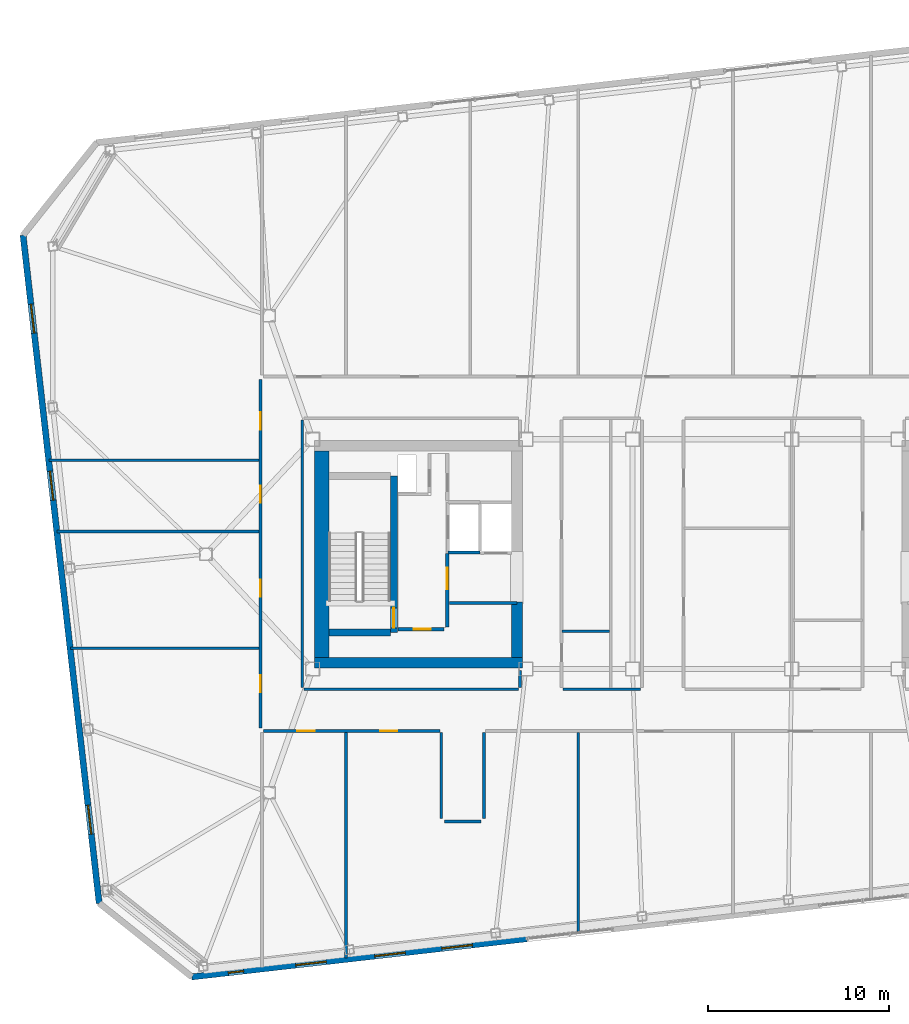
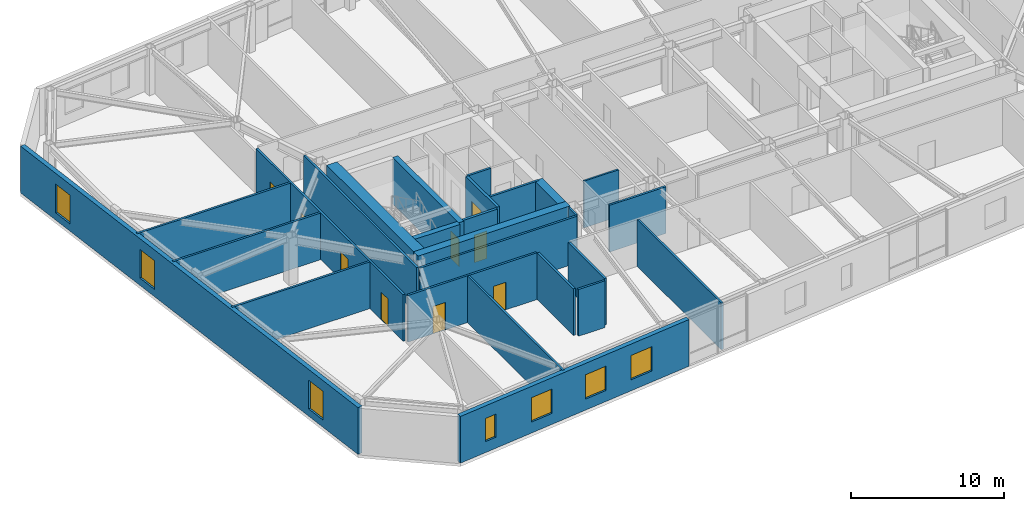
# One storey, part 12 of 19: 26 walls, 9 doors, 7 windows, 16 openings.
"""IFC4 building model written with IfcOpenShell, lengths in metres."""

from ifc_helpers import new_model, si_unit, direction, frame, frame_2d, origin, place, context, subcontext, project, spatial, rectangle, extrude, material, layer, layer_set, type_object, element, fill, save


model = new_model("IFC4")

# Units and contexts
model_context = context("Model", 3, precision=1e-05, world=origin(), true_north=direction((0.0, 1.0)))
body_context = subcontext(model_context, "Body", "Model", "MODEL_VIEW")
ifc_project = project(units=[si_unit("LENGTHUNIT", "METRE"), si_unit("AREAUNIT", "SQUARE_METRE"), si_unit("VOLUMEUNIT", "CUBIC_METRE"), si_unit("PLANEANGLEUNIT", "RADIAN"), si_unit("MASSUNIT", "GRAM", prefix="KILO")], contexts=[model_context])

# Site, building, storey
site_placement = place(None, origin())
site = spatial("IfcSite", under=ifc_project, at=site_placement, CompositionType="ELEMENT")
building_placement = place(site_placement, origin())
building = spatial("IfcBuilding", under=site, at=building_placement, Name="Tavrogorsk Clinical Tower", CompositionType="ELEMENT")
storey_placement = place(building_placement, frame((0.0, 0.0, 263.0)))
storey = spatial("IfcBuildingStorey", under=building, at=storey_placement, Name="L61", CompositionType="ELEMENT", Elevation=263.0)

# Wall, opening, door
ifc_material_1 = material(Name="Concrete B60", Category="concrete")
ifc_layer_1 = layer(ifc_material_1, 0.199951171875)
ifc_layer_set_1 = layer_set([ifc_layer_1], Name="Concrete B60")
wall_type_1 = type_object("IfcWallType", Name="CoreFireWall_200", PredefinedType="SOLIDWALL", material=ifc_layer_set_1)
wall_1_placement = place(storey_placement, frame((-17.3798828125, -4.139892578125, 0.0), z_axis=(0.0, 0.0, 1.0), x_axis=(1.0, 0.0, 0.0)))
wall_1 = element("IfcWall", 1, at=wall_1_placement, inside=storey, type_object=wall_type_1, Name="L61 Core West South Core Room Fire Wall", PredefinedType="SOLIDWALL", context=body_context, shape_type="SweptSolid", body=[
    extrude(rectangle(XDim=2.554931640625, YDim=0.199951171875, at=frame_2d((1.27734375, 0.0))), origin(), (0.0, 0.0, 1.0), 3.739990234375),
])
opening_1_placement = place(wall_1_placement, frame((0.8798828125, 0.0, 0.0)))
opening_1 = element("IfcOpeningElement", 2, at=opening_1_placement, cuts=wall_1, Name="Opening ID-02", PredefinedType="OPENING", context=body_context, shape_type="SweptSolid", body=[
    extrude(rectangle(XDim=0.949951171875, YDim=2.199951171875, at=frame_2d((0.47509765625, 1.10009765625))), frame((0.0, 0.10986328125, 0.0), z_axis=(0.0, -1.0, 0.0), x_axis=(1.0, 0.0, 0.0)), (0.0, 0.0, 1.0), 0.219970703125),
])
ifc_material_2 = material(Name="Laminated timber leaf on aluminium frame", Category="wood")
door_type_1 = type_object("IfcDoorType", Name="InteriorDoor_ID02_950", OperationType="NOTDEFINED", PredefinedType="DOOR", material=ifc_material_2)
door_1_placement = place(opening_1_placement, origin())
door_1 = element("IfcDoor", 3, at=door_1_placement, inside=storey, type_object=door_type_1, Name="L61 Core West South Core Room Door", OperationType="SINGLE_SWING_RIGHT", OverallHeight=2.199951171875, OverallWidth=0.949951171875, PredefinedType="DOOR", context=body_context, shape_type="SweptSolid", body=[
    extrude(rectangle(XDim=0.949951171875, YDim=2.199951171875, at=frame_2d((0.47509765625, 1.10009765625))), frame((0.0, 0.02490234375, 0.0), z_axis=(0.0, -1.0, 0.0), x_axis=(1.0, 0.0, 0.0)), (0.0, 0.0, 1.0), 0.050048828125),
])
fill(opening_1, door_1)

wall_2_placement = place(storey_placement, frame((-14.639892578125, -4.034912109375, 0.0), z_axis=(0.0, 0.0, 1.0), x_axis=(0.0, 1.0, 0.0)))
wall_2 = element("IfcWall", 4, at=wall_2_placement, inside=storey, type_object=wall_type_1, Name="L61 Core West Firefighting Lobby Fire Wall", PredefinedType="SOLIDWALL", context=body_context, shape_type="SweptSolid", body=[
    extrude(rectangle(XDim=4.074951171875, YDim=0.199951171875, at=frame_2d((2.03759765625, 0.0))), origin(), (0.0, 0.0, 1.0), 3.739990234375),
])
opening_2_placement = place(wall_2_placement, frame((2.090087890625, 0.0, 0.0)))
opening_2 = element("IfcOpeningElement", 5, at=opening_2_placement, cuts=wall_2, Name="Opening FD-01", PredefinedType="OPENING", context=body_context, shape_type="SweptSolid", body=[
    extrude(rectangle(XDim=1.199951171875, YDim=2.199951171875, at=frame_2d((0.60009765625, 1.10009765625))), frame((0.0, 0.10986328125, 0.0), z_axis=(0.0, -1.0, 0.0), x_axis=(1.0, 0.0, 0.0)), (0.0, 0.0, 1.0), 0.219970703125),
])
ifc_material_3 = material(Name="Galvanised steel fire-rated door assembly", Category="steel")
door_type_2 = type_object("IfcDoorType", Name="FireDoor_FD01_1200", OperationType="NOTDEFINED", PredefinedType="DOOR", material=ifc_material_3)
door_2_placement = place(opening_2_placement, origin())
door_2 = element("IfcDoor", 6, at=door_2_placement, inside=storey, type_object=door_type_2, Name="L61 Core West Firefighting Lobby Entry Door", OperationType="SINGLE_SWING_RIGHT", OverallHeight=2.199951171875, OverallWidth=1.199951171875, PredefinedType="DOOR", context=body_context, shape_type="SweptSolid", body=[
    extrude(rectangle(XDim=1.199951171875, YDim=2.199951171875, at=frame_2d((0.60009765625, 1.10009765625))), frame((0.0, 0.02490234375, 0.0), z_axis=(0.0, -1.0, 0.0), x_axis=(1.0, 0.0, 0.0)), (0.0, 0.0, 1.0), 0.050048828125),
])
fill(opening_2, door_2)

# Walls
ifc_material_4 = material(Name="Lightweight concrete blockwork B15", Category="masonry")
ifc_layer_2 = layer(ifc_material_4, 0.139892578125)
ifc_layer_set_2 = layer_set([ifc_layer_2], Name="Lightweight concrete blockwork B15")
wall_type_2 = type_object("IfcWallType", Name="PartitionWall_140", PredefinedType="PARTITIONING", material=ifc_layer_set_2)
wall_3_placement = place(storey_placement, frame((-8.31494140625, -4.25, 0.0), z_axis=(0.0, 0.0, 1.0), x_axis=(1.0, 0.0, 0.0)))
element("IfcWall", 7, at=wall_3_placement, inside=storey, type_object=wall_type_2, Name="L61 Central Spine Partition 4", PredefinedType="PARTITIONING", context=body_context, shape_type="SweptSolid", body=[
    extrude(rectangle(XDim=2.639892578125, YDim=0.139892578125, at=frame_2d((1.31982421875, 0.0))), origin(), (0.0, 0.0, 1.0), 3.739990234375),
])
ifc_material_5 = material(Name="Lightweight concrete blockwork B15", Category="masonry")
ifc_layer_3 = layer(ifc_material_5, 0.159912109375)
ifc_layer_set_3 = layer_set([ifc_layer_3], Name="Lightweight concrete blockwork B15")
wall_type_3 = type_object("IfcWallType", Name="PartitionWall_160", PredefinedType="PARTITIONING", material=ifc_layer_set_3)
wall_4_placement = place(storey_placement, frame((-14.534912109375, -2.699951171875, 0.0), z_axis=(0.0, 0.0, 1.0), x_axis=(1.0, 0.0, 0.0)))
element("IfcWall", 8, at=wall_4_placement, inside=storey, type_object=wall_type_3, Name="L61 Core West Freed Mid-Bank North Partition", PredefinedType="PARTITIONING", context=body_context, shape_type="SweptSolid", body=[
    extrude(rectangle(XDim=3.73486328125, YDim=0.159912109375, at=frame_2d((1.867431640625, 0.0))), origin(), (0.0, 0.0, 1.0), 3.739990234375),
])

# Wall, openings, doors
wall_5_placement = place(storey_placement, frame((-24.97998046875, -9.614990234375, 0.0), z_axis=(0.0, 0.0, 1.0), x_axis=(0.0, 1.0, 0.0)))
wall_5 = element("IfcWall", 9, at=wall_5_placement, inside=storey, type_object=wall_type_3, Name="L61 Corridor Partition 01", PredefinedType="PARTITIONING", context=body_context, shape_type="SweptSolid", body=[
    extrude(rectangle(XDim=19.280029296875, YDim=0.159912109375, at=frame_2d((9.64013671875, 0.0))), origin(), (0.0, 0.0, 1.0), 3.739990234375),
])
opening_3_placement = place(wall_5_placement, frame((1.968994140625, 0.0, 0.0)))
opening_3 = element("IfcOpeningElement", 10, at=opening_3_placement, cuts=wall_5, Name="Opening ID-02", PredefinedType="OPENING", context=body_context, shape_type="SweptSolid", body=[
    extrude(rectangle(XDim=0.949951171875, YDim=2.199951171875, at=frame_2d((0.47509765625, 1.10009765625))), frame((0.0, 0.08984375, 0.0), z_axis=(0.0, -1.0, 0.0), x_axis=(1.0, 0.0, 0.0)), (0.0, 0.0, 1.0), 0.179931640625),
])
opening_4_placement = place(wall_5_placement, frame((7.25, 0.0, 0.0)))
opening_4 = element("IfcOpeningElement", 11, at=opening_4_placement, cuts=wall_5, Name="Opening ID-02", PredefinedType="OPENING", context=body_context, shape_type="SweptSolid", body=[
    extrude(rectangle(XDim=0.949951171875, YDim=2.199951171875, at=frame_2d((0.47509765625, 1.10009765625))), frame((0.0, 0.08984375, 0.0), z_axis=(0.0, -1.0, 0.0), x_axis=(1.0, 0.0, 0.0)), (0.0, 0.0, 1.0), 0.179931640625),
])
opening_5_placement = place(wall_5_placement, frame((12.449951171875, 0.0, 0.0)))
opening_5 = element("IfcOpeningElement", 12, at=opening_5_placement, cuts=wall_5, Name="Opening ID-02", PredefinedType="OPENING", context=body_context, shape_type="SweptSolid", body=[
    extrude(rectangle(XDim=0.949951171875, YDim=2.199951171875, at=frame_2d((0.47509765625, 1.10009765625))), frame((0.0, 0.08984375, 0.0), z_axis=(0.0, -1.0, 0.0), x_axis=(1.0, 0.0, 0.0)), (0.0, 0.0, 1.0), 0.179931640625),
])
opening_6_placement = place(wall_5_placement, frame((16.505859375, 0.0, 0.0)))
opening_6 = element("IfcOpeningElement", 13, at=opening_6_placement, cuts=wall_5, Name="Opening ID-02", PredefinedType="OPENING", context=body_context, shape_type="SweptSolid", body=[
    extrude(rectangle(XDim=0.949951171875, YDim=2.199951171875, at=frame_2d((0.47509765625, 1.10009765625))), frame((0.0, 0.08984375, 0.0), z_axis=(0.0, -1.0, 0.0), x_axis=(1.0, 0.0, 0.0)), (0.0, 0.0, 1.0), 0.179931640625),
])
door_3_placement = place(opening_3_placement, origin())
door_3 = element("IfcDoor", 14, at=door_3_placement, inside=storey, type_object=door_type_1, Name="L61 W Solarium Day Room & Lounge 1 Door", OperationType="SINGLE_SWING_LEFT", OverallHeight=2.199951171875, OverallWidth=0.949951171875, PredefinedType="DOOR", context=body_context, shape_type="SweptSolid", body=[
    extrude(rectangle(XDim=0.949951171875, YDim=2.199951171875, at=frame_2d((0.47509765625, 1.10009765625))), frame((0.0, 0.02490234375, 0.0), z_axis=(0.0, -1.0, 0.0), x_axis=(1.0, 0.0, 0.0)), (0.0, 0.0, 1.0), 0.050048828125),
])
fill(opening_3, door_3)
door_4_placement = place(opening_4_placement, origin())
door_4 = element("IfcDoor", 15, at=door_4_placement, inside=storey, type_object=door_type_1, Name="L61 W Rehabilitation Therapy Suite 2 Door", OperationType="SINGLE_SWING_RIGHT", OverallHeight=2.199951171875, OverallWidth=0.949951171875, PredefinedType="DOOR", context=body_context, shape_type="SweptSolid", body=[
    extrude(rectangle(XDim=0.949951171875, YDim=2.199951171875, at=frame_2d((0.47509765625, 1.10009765625))), frame((0.0, 0.02490234375, 0.0), z_axis=(0.0, -1.0, 0.0), x_axis=(1.0, 0.0, 0.0)), (0.0, 0.0, 1.0), 0.050048828125),
])
fill(opening_4, door_4)
door_5_placement = place(opening_5_placement, origin())
door_5 = element("IfcDoor", 16, at=door_5_placement, inside=storey, type_object=door_type_1, Name="L61 W Sub-Acute Observation Suite 3 Door", OperationType="SINGLE_SWING_LEFT", OverallHeight=2.199951171875, OverallWidth=0.949951171875, PredefinedType="DOOR", context=body_context, shape_type="SweptSolid", body=[
    extrude(rectangle(XDim=0.949951171875, YDim=2.199951171875, at=frame_2d((0.47509765625, 1.10009765625))), frame((0.0, 0.02490234375, 0.0), z_axis=(0.0, -1.0, 0.0), x_axis=(1.0, 0.0, 0.0)), (0.0, 0.0, 1.0), 0.050048828125),
])
fill(opening_5, door_5)
door_6_placement = place(opening_6_placement, origin())
door_6 = element("IfcDoor", 17, at=door_6_placement, inside=storey, type_object=door_type_1, Name="L61 W Family Consultation Lounge 4 Door", OperationType="SINGLE_SWING_RIGHT", OverallHeight=2.199951171875, OverallWidth=0.949951171875, PredefinedType="DOOR", context=body_context, shape_type="SweptSolid", body=[
    extrude(rectangle(XDim=0.949951171875, YDim=2.199951171875, at=frame_2d((0.47509765625, 1.10009765625))), frame((0.0, 0.02490234375, 0.0), z_axis=(0.0, -1.0, 0.0), x_axis=(1.0, 0.0, 0.0)), (0.0, 0.0, 1.0), 0.050048828125),
])
fill(opening_6, door_6)

# Walls
wall_6_placement = place(storey_placement, frame((-12.6201171875, -9.864990234375, 0.0), z_axis=(0.0, 0.0, 1.0), x_axis=(0.0, -1.0, 0.0)))
element("IfcWall", 18, at=wall_6_placement, inside=storey, type_object=wall_type_3, Name="L61 Corridor Partition 05", PredefinedType="PARTITIONING", context=body_context, shape_type="SweptSolid", body=[
    extrude(rectangle(XDim=4.75, YDim=0.159912109375, at=frame_2d((2.375, 0.0))), origin(), (0.0, 0.0, 1.0), 3.739990234375),
])
wall_7_placement = place(storey_placement, frame((-12.784912109375, -14.780029296875, 0.0), z_axis=(0.0, 0.0, 1.0), x_axis=(-1.0, 0.0, 0.0)))
element("IfcWall", 19, at=wall_7_placement, inside=storey, type_object=wall_type_3, Name="L61 Corridor Partition 06", PredefinedType="PARTITIONING", context=body_context, shape_type="SweptSolid", body=[
    extrude(rectangle(XDim=2.030029296875, YDim=0.159912109375, at=frame_2d((1.01513671875, 0.0))), origin(), (0.0, 0.0, 1.0), 3.739990234375),
])
wall_8_placement = place(storey_placement, frame((-14.97998046875, -14.614990234375, 0.0), z_axis=(0.0, 0.0, 1.0), x_axis=(0.0, 1.0, 0.0)))
element("IfcWall", 20, at=wall_8_placement, inside=storey, type_object=wall_type_3, Name="L61 Corridor Partition 07", PredefinedType="PARTITIONING", context=body_context, shape_type="SweptSolid", body=[
    extrude(rectangle(XDim=4.75, YDim=0.159912109375, at=frame_2d((2.375, 0.0))), origin(), (0.0, 0.0, 1.0), 3.739990234375),
])

# Wall, openings, doors
wall_9_placement = place(storey_placement, frame((-15.06494140625, -9.780029296875, 0.0), z_axis=(0.0, 0.0, 1.0), x_axis=(-1.0, 0.0, 0.0)))
wall_9 = element("IfcWall", 21, at=wall_9_placement, inside=storey, type_object=wall_type_3, Name="L61 Corridor Partition 08", PredefinedType="PARTITIONING", context=body_context, shape_type="SweptSolid", body=[
    extrude(rectangle(XDim=9.75, YDim=0.159912109375, at=frame_2d((4.875, 0.0))), origin(), (0.0, 0.0, 1.0), 3.739990234375),
])
opening_7_placement = place(wall_9_placement, frame((6.92578125, 0.0, 0.0)))
opening_7 = element("IfcOpeningElement", 22, at=opening_7_placement, cuts=wall_9, Name="Opening ID-02", PredefinedType="OPENING", context=body_context, shape_type="SweptSolid", body=[
    extrude(rectangle(XDim=0.949951171875, YDim=2.199951171875, at=frame_2d((0.47509765625, 1.10009765625))), frame((0.0, 0.08984375, 0.0), z_axis=(0.0, -1.0, 0.0), x_axis=(1.0, 0.0, 0.0)), (0.0, 0.0, 1.0), 0.179931640625),
])
opening_8_placement = place(wall_9_placement, frame((2.35400390625, 0.0, 0.0)))
opening_8 = element("IfcOpeningElement", 23, at=opening_8_placement, cuts=wall_9, Name="Opening ID-02", PredefinedType="OPENING", context=body_context, shape_type="SweptSolid", body=[
    extrude(rectangle(XDim=0.949951171875, YDim=2.199951171875, at=frame_2d((0.47509765625, 1.10009765625))), frame((0.0, 0.08984375, 0.0), z_axis=(0.0, -1.0, 0.0), x_axis=(1.0, 0.0, 0.0)), (0.0, 0.0, 1.0), 0.179931640625),
])
door_7_placement = place(opening_7_placement, origin())
door_7 = element("IfcDoor", 24, at=door_7_placement, inside=storey, type_object=door_type_1, Name="L61 South Outpatient Procedure Suite 01 Door", OperationType="SINGLE_SWING_LEFT", OverallHeight=2.199951171875, OverallWidth=0.949951171875, PredefinedType="DOOR", context=body_context, shape_type="SweptSolid", body=[
    extrude(rectangle(XDim=0.949951171875, YDim=2.199951171875, at=frame_2d((0.47509765625, 1.10009765625))), frame((0.0, 0.02490234375, 0.0), z_axis=(0.0, -1.0, 0.0), x_axis=(1.0, 0.0, 0.0)), (0.0, 0.0, 1.0), 0.050048828125),
])
fill(opening_7, door_7)
door_8_placement = place(opening_8_placement, origin())
door_8 = element("IfcDoor", 25, at=door_8_placement, inside=storey, type_object=door_type_1, Name="L61 South Cardiology Diagnostics Room 02 Door", OperationType="SINGLE_SWING_RIGHT", OverallHeight=2.199951171875, OverallWidth=0.949951171875, PredefinedType="DOOR", context=body_context, shape_type="SweptSolid", body=[
    extrude(rectangle(XDim=0.949951171875, YDim=2.199951171875, at=frame_2d((0.47509765625, 1.10009765625))), frame((0.0, 0.02490234375, 0.0), z_axis=(0.0, -1.0, 0.0), x_axis=(1.0, 0.0, 0.0)), (0.0, 0.0, 1.0), 0.050048828125),
])
fill(opening_8, door_8)

# Walls
wall_10_placement = place(storey_placement, frame((-8.235107421875, -7.469970703125, 0.0), z_axis=(0.0, 0.0, 1.0), x_axis=(1.0, 0.0, 0.0)))
element("IfcWall", 26, at=wall_10_placement, inside=storey, type_object=wall_type_3, Name="L61 Corridor Partition 21", PredefinedType="PARTITIONING", context=body_context, shape_type="SweptSolid", body=[
    extrude(rectangle(XDim=4.27001953125, YDim=0.159912109375, at=frame_2d((2.135009765625, 0.0))), origin(), (0.0, 0.0, 1.0), 3.739990234375),
])
wall_11_placement = place(storey_placement, frame((-10.6298828125, -7.385009765625, 0.0), z_axis=(0.0, 0.0, 1.0), x_axis=(0.0, 1.0, 0.0)))
element("IfcWall", 27, at=wall_11_placement, inside=storey, type_object=wall_type_3, Name="L61 Corridor Partition 22", PredefinedType="PARTITIONING", context=body_context, shape_type="SweptSolid", body=[
    extrude(rectangle(XDim=0.965087890625, YDim=0.159912109375, at=frame_2d((0.482421875, 0.0))), origin(), (0.0, 0.0, 1.0), 3.739990234375),
])
wall_12_placement = place(storey_placement, frame((-22.669921875, 7.43505859375, 0.0), z_axis=(0.0, 0.0, 1.0), x_axis=(0.0, -1.0, 0.0)))
element("IfcWall", 28, at=wall_12_placement, inside=storey, type_object=wall_type_3, Name="L61 Corridor Partition 25", PredefinedType="PARTITIONING", context=body_context, shape_type="SweptSolid", body=[
    extrude(rectangle(XDim=14.820068359375, YDim=0.159912109375, at=frame_2d((7.41015625, 0.0))), origin(), (0.0, 0.0, 1.0), 3.739990234375),
])
wall_13_placement = place(storey_placement, frame((-22.5849609375, -7.469970703125, 0.0), z_axis=(0.0, 0.0, 1.0), x_axis=(1.0, 0.0, 0.0)))
element("IfcWall", 29, at=wall_13_placement, inside=storey, type_object=wall_type_3, Name="L61 Corridor Partition 26", PredefinedType="PARTITIONING", context=body_context, shape_type="SweptSolid", body=[
    extrude(rectangle(XDim=11.869873046875, YDim=0.159912109375, at=frame_2d((5.93505859375, 0.0))), origin(), (0.0, 0.0, 1.0), 3.739990234375),
])
wall_14_placement = place(storey_placement, frame((-20.25, -22.343505859375, 0.0), z_axis=(0.0, 0.0, 1.0), x_axis=(0.0, 1.0, 0.0)))
element("IfcWall", 30, at=wall_14_placement, inside=storey, type_object=wall_type_3, Name="L61 South Room Partition 1", PredefinedType="PARTITIONING", context=body_context, shape_type="SweptSolid", body=[
    extrude(rectangle(XDim=12.478515625, YDim=0.159912109375, at=frame_2d((6.2392578125, 0.0))), origin(), (0.0, 0.0, 1.0), 3.739990234375),
])
wall_15_placement = place(storey_placement, frame((-7.39990234375, -20.87939453125, 0.0), z_axis=(0.0, 0.0, 1.0), x_axis=(0.0, 1.0, 0.0)))
element("IfcWall", 31, at=wall_15_placement, inside=storey, type_object=wall_type_3, Name="L61 South Room Partition 2", PredefinedType="PARTITIONING", context=body_context, shape_type="SweptSolid", body=[
    extrude(rectangle(XDim=11.014404296875, YDim=0.159912109375, at=frame_2d((5.50732421875, 0.0))), origin(), (0.0, 0.0, 1.0), 3.739990234375),
])
wall_16_placement = place(storey_placement, frame((-35.494384765625, -5.199951171875, 0.0), z_axis=(0.0, 0.0, 1.0), x_axis=(1.0, 0.0, 0.0)))
element("IfcWall", 32, at=wall_16_placement, inside=storey, type_object=wall_type_3, Name="L61 W Wing Divider 1", PredefinedType="PARTITIONING", context=body_context, shape_type="SweptSolid", body=[
    extrude(rectangle(XDim=10.429443359375, YDim=0.159912109375, at=frame_2d((5.21484375, 0.0))), origin(), (0.0, 0.0, 1.0), 3.739990234375),
])
wall_17_placement = place(storey_placement, frame((-36.2294921875, 1.25, 0.0), z_axis=(0.0, 0.0, 1.0), x_axis=(1.0, 0.0, 0.0)))
element("IfcWall", 33, at=wall_17_placement, inside=storey, type_object=wall_type_3, Name="L61 W Wing Divider 2", PredefinedType="PARTITIONING", context=body_context, shape_type="SweptSolid", body=[
    extrude(rectangle(XDim=11.16455078125, YDim=0.159912109375, at=frame_2d((5.582275390625, 0.0))), origin(), (0.0, 0.0, 1.0), 3.739990234375),
])
wall_18_placement = place(storey_placement, frame((-36.679443359375, 5.199951171875, 0.0), z_axis=(0.0, 0.0, 1.0), x_axis=(1.0, 0.0, 0.0)))
element("IfcWall", 34, at=wall_18_placement, inside=storey, type_object=wall_type_3, Name="L61 W Wing Divider 3", PredefinedType="PARTITIONING", context=body_context, shape_type="SweptSolid", body=[
    extrude(rectangle(XDim=11.614501953125, YDim=0.159912109375, at=frame_2d((5.80712890625, 0.0))), origin(), (0.0, 0.0, 1.0), 3.739990234375),
])

# Wall, openings, windows
ifc_material_6 = material(Name="Precast concrete B45 with limestone cladding", Category="masonry")
ifc_layer_4 = layer(ifc_material_6, 0.340087890625)
ifc_layer_set_4 = layer_set([ifc_layer_4], Name="Precast concrete B45 with limestone cladding")
wall_type_4 = type_object("IfcWallType", Name="PrecastLimestoneWall_340", PredefinedType="STANDARD", material=ifc_layer_set_4)
wall_19_placement = place(storey_placement, frame((-28.78271484375, -23.38623046875, 0.0), z_axis=(0.0, 0.0, 1.0), x_axis=(0.993572271362, 0.113199565282, 0.0)))
wall_19 = element("IfcWall", 35, at=wall_19_placement, inside=storey, type_object=wall_type_4, Name="L61 S Limestone Facade Wall 1", PredefinedType="STANDARD", context=body_context, shape_type="SweptSolid", body=[
    extrude(rectangle(XDim=18.6513671875, YDim=0.340087890625, at=frame_2d((9.32568359375, 0.0))), origin(), (0.0, 0.0, 1.0), 3.739990234375),
])
opening_9_placement = place(wall_19_placement, frame((2.030029296875, 0.0, 0.8798828125)))
opening_9 = element("IfcOpeningElement", 36, at=opening_9_placement, cuts=wall_19, Name="Opening WN-06", PredefinedType="OPENING", context=body_context, shape_type="SweptSolid", body=[
    extrude(rectangle(XDim=0.85009765625, YDim=1.85009765625, at=frame_2d((0.425048828125, 0.925048828125))), frame((0.0, 0.179931640625, 0.0), z_axis=(0.0, -1.0, 0.0), x_axis=(1.0, 0.0, 0.0)), (0.0, 0.0, 1.0), 0.360107421875),
])
opening_10_placement = place(wall_19_placement, frame((5.778564453125, 0.0, 0.8798828125)))
opening_10 = element("IfcOpeningElement", 37, at=opening_10_placement, cuts=wall_19, Name="Opening WN-15", PredefinedType="OPENING", context=body_context, shape_type="SweptSolid", body=[
    extrude(rectangle(XDim=1.699951171875, YDim=1.949951171875, at=frame_2d((0.85009765625, 0.97509765625))), frame((0.0, 0.179931640625, 0.0), z_axis=(0.0, -1.0, 0.0), x_axis=(1.0, 0.0, 0.0)), (0.0, 0.0, 1.0), 0.360107421875),
])
opening_11_placement = place(wall_19_placement, frame((10.1787109375, 0.0, 0.8798828125)))
opening_11 = element("IfcOpeningElement", 38, at=opening_11_placement, cuts=wall_19, Name="Opening WN-15", PredefinedType="OPENING", context=body_context, shape_type="SweptSolid", body=[
    extrude(rectangle(XDim=1.699951171875, YDim=1.949951171875, at=frame_2d((0.85009765625, 0.97509765625))), frame((0.0, 0.179931640625, 0.0), z_axis=(0.0, -1.0, 0.0), x_axis=(1.0, 0.0, 0.0)), (0.0, 0.0, 1.0), 0.360107421875),
])
opening_12_placement = place(wall_19_placement, frame((13.927001953125, 0.0, 0.8798828125)))
opening_12 = element("IfcOpeningElement", 39, at=opening_12_placement, cuts=wall_19, Name="Opening WN-15", PredefinedType="OPENING", context=body_context, shape_type="SweptSolid", body=[
    extrude(rectangle(XDim=1.699951171875, YDim=1.949951171875, at=frame_2d((0.85009765625, 0.97509765625))), frame((0.0, 0.179931640625, 0.0), z_axis=(0.0, -1.0, 0.0), x_axis=(1.0, 0.0, 0.0)), (0.0, 0.0, 1.0), 0.360107421875),
])
ifc_material_7 = material(Name="Thermally broken aluminium frame and triple IGU", Category="aluminium")
window_type_1 = type_object("IfcWindowType", Name="MullionSubWin_850x1850", PartitioningType="SINGLE_PANEL", PredefinedType="WINDOW", material=ifc_material_7)
window_1_placement = place(opening_9_placement, origin())
window_1 = element("IfcWindow", 40, at=window_1_placement, inside=storey, type_object=window_type_1, Name="L61 S Mullion Split Window 01A", OverallHeight=1.85009765625, OverallWidth=0.85009765625, PartitioningType="SINGLE_PANEL", PredefinedType="WINDOW", context=body_context, shape_type="SweptSolid", body=[
    extrude(rectangle(XDim=0.85009765625, YDim=1.85009765625, at=frame_2d((0.425048828125, 0.925048828125))), frame((0.0, 0.030029296875, 0.0), z_axis=(0.0, -1.0, 0.0), x_axis=(1.0, 0.0, 0.0)), (0.0, 0.0, 1.0), 0.06005859375),
])
fill(opening_9, window_1)
ifc_material_8 = material(Name="Thermally broken aluminium frame and triple IGU", Category="aluminium")
window_type_2 = type_object("IfcWindowType", Name="OfficeChicagoWin_1700x1950", PartitioningType="SINGLE_PANEL", PredefinedType="WINDOW", material=ifc_material_8)
window_2_placement = place(opening_10_placement, origin())
window_2 = element("IfcWindow", 41, at=window_2_placement, inside=storey, type_object=window_type_2, Name="L61 S Chicago Window 02", OverallHeight=1.949951171875, OverallWidth=1.699951171875, PartitioningType="SINGLE_PANEL", PredefinedType="WINDOW", context=body_context, shape_type="SweptSolid", body=[
    extrude(rectangle(XDim=1.699951171875, YDim=1.949951171875, at=frame_2d((0.85009765625, 0.97509765625))), frame((0.0, 0.030029296875, 0.0), z_axis=(0.0, -1.0, 0.0), x_axis=(1.0, 0.0, 0.0)), (0.0, 0.0, 1.0), 0.06005859375),
])
fill(opening_10, window_2)
window_3_placement = place(opening_11_placement, origin())
window_3 = element("IfcWindow", 42, at=window_3_placement, inside=storey, type_object=window_type_2, Name="L61 S Chicago Window 03", OverallHeight=1.949951171875, OverallWidth=1.699951171875, PartitioningType="SINGLE_PANEL", PredefinedType="WINDOW", context=body_context, shape_type="SweptSolid", body=[
    extrude(rectangle(XDim=1.699951171875, YDim=1.949951171875, at=frame_2d((0.85009765625, 0.97509765625))), frame((0.0, 0.030029296875, 0.0), z_axis=(0.0, -1.0, 0.0), x_axis=(1.0, 0.0, 0.0)), (0.0, 0.0, 1.0), 0.06005859375),
])
fill(opening_11, window_3)
window_4_placement = place(opening_12_placement, origin())
window_4 = element("IfcWindow", 43, at=window_4_placement, inside=storey, type_object=window_type_2, Name="L61 S Chicago Window 04", OverallHeight=1.949951171875, OverallWidth=1.699951171875, PartitioningType="SINGLE_PANEL", PredefinedType="WINDOW", context=body_context, shape_type="SweptSolid", body=[
    extrude(rectangle(XDim=1.699951171875, YDim=1.949951171875, at=frame_2d((0.85009765625, 0.97509765625))), frame((0.0, 0.030029296875, 0.0), z_axis=(0.0, -1.0, 0.0), x_axis=(1.0, 0.0, 0.0)), (0.0, 0.0, 1.0), 0.06005859375),
])
fill(opening_12, window_4)

wall_20_placement = place(storey_placement, frame((-38.1181640625, 17.65087890625, 0.0), z_axis=(0.0, 0.0, 1.0), x_axis=(0.11320360501, -0.9935718111, 0.0)))
wall_20 = element("IfcWall", 44, at=wall_20_placement, inside=storey, type_object=wall_type_4, Name="L61 W Pleated Limestone Wing Wall", PredefinedType="STANDARD", context=body_context, shape_type="SweptSolid", body=[
    extrude(rectangle(XDim=37.199951171875, YDim=0.340087890625, at=frame_2d((18.60009765625, 0.0))), origin(), (0.0, 0.0, 1.0), 3.739990234375),
])
opening_13_placement = place(wall_20_placement, frame((3.85009765625, 0.0, 0.580078125)))
opening_13 = element("IfcOpeningElement", 45, at=opening_13_placement, cuts=wall_20, Name="Opening WN-07", PredefinedType="OPENING", context=body_context, shape_type="SweptSolid", body=[
    extrude(rectangle(XDim=1.60009765625, YDim=2.300048828125, at=frame_2d((0.800048828125, 1.14990234375))), frame((0.0, 0.179931640625, 0.0), z_axis=(0.0, -1.0, 0.0), x_axis=(1.0, 0.0, 0.0)), (0.0, 0.0, 1.0), 0.360107421875),
])
opening_14_placement = place(wall_20_placement, frame((13.14990234375, 0.0, 0.580078125)))
opening_14 = element("IfcOpeningElement", 46, at=opening_14_placement, cuts=wall_20, Name="Opening WN-07", PredefinedType="OPENING", context=body_context, shape_type="SweptSolid", body=[
    extrude(rectangle(XDim=1.60009765625, YDim=2.300048828125, at=frame_2d((0.800048828125, 1.14990234375))), frame((0.0, 0.179931640625, 0.0), z_axis=(0.0, -1.0, 0.0), x_axis=(1.0, 0.0, 0.0)), (0.0, 0.0, 1.0), 0.360107421875),
])
opening_15_placement = place(wall_20_placement, frame((31.75, 0.0, 0.580078125)))
opening_15 = element("IfcOpeningElement", 47, at=opening_15_placement, cuts=wall_20, Name="Opening WN-07", PredefinedType="OPENING", context=body_context, shape_type="SweptSolid", body=[
    extrude(rectangle(XDim=1.60009765625, YDim=2.300048828125, at=frame_2d((0.800048828125, 1.14990234375))), frame((0.0, 0.179931640625, 0.0), z_axis=(0.0, -1.0, 0.0), x_axis=(1.0, 0.0, 0.0)), (0.0, 0.0, 1.0), 0.360107421875),
])
ifc_material_9 = material(Name="Thermally broken aluminium frame and triple IGU", Category="aluminium")
window_type_3 = type_object("IfcWindowType", Name="PleatSlotWin_1600x2300", PartitioningType="SINGLE_PANEL", PredefinedType="WINDOW", material=ifc_material_9)
window_5_placement = place(opening_13_placement, origin())
window_5 = element("IfcWindow", 48, at=window_5_placement, inside=storey, type_object=window_type_3, Name="L61 W Pleat Slot Window 1", OverallHeight=2.300048828125, OverallWidth=1.60009765625, PartitioningType="SINGLE_PANEL", PredefinedType="WINDOW", context=body_context, shape_type="SweptSolid", body=[
    extrude(rectangle(XDim=1.60009765625, YDim=2.300048828125, at=frame_2d((0.800048828125, 1.14990234375))), frame((0.0, 0.030029296875, 0.0), z_axis=(0.0, -1.0, 0.0), x_axis=(1.0, 0.0, 0.0)), (0.0, 0.0, 1.0), 0.06005859375),
])
fill(opening_13, window_5)
window_6_placement = place(opening_14_placement, origin())
window_6 = element("IfcWindow", 49, at=window_6_placement, inside=storey, type_object=window_type_3, Name="L61 W Pleat Slot Window 2", OverallHeight=2.300048828125, OverallWidth=1.60009765625, PartitioningType="SINGLE_PANEL", PredefinedType="WINDOW", context=body_context, shape_type="SweptSolid", body=[
    extrude(rectangle(XDim=1.60009765625, YDim=2.300048828125, at=frame_2d((0.800048828125, 1.14990234375))), frame((0.0, 0.030029296875, 0.0), z_axis=(0.0, -1.0, 0.0), x_axis=(1.0, 0.0, 0.0)), (0.0, 0.0, 1.0), 0.06005859375),
])
fill(opening_14, window_6)
window_7_placement = place(opening_15_placement, origin())
window_7 = element("IfcWindow", 50, at=window_7_placement, inside=storey, type_object=window_type_3, Name="L61 W Pleat Slot Window 4", OverallHeight=2.300048828125, OverallWidth=1.60009765625, PartitioningType="SINGLE_PANEL", PredefinedType="WINDOW", context=body_context, shape_type="SweptSolid", body=[
    extrude(rectangle(XDim=1.60009765625, YDim=2.300048828125, at=frame_2d((0.800048828125, 1.14990234375))), frame((0.0, 0.030029296875, 0.0), z_axis=(0.0, -1.0, 0.0), x_axis=(1.0, 0.0, 0.0)), (0.0, 0.0, 1.0), 0.06005859375),
])
fill(opening_15, window_7)

# Wall
ifc_material_10 = material(Name="Lightweight concrete blockwork B25", Category="masonry")
ifc_layer_5 = layer(ifc_material_10, 0.159912109375)
ifc_layer_set_5 = layer_set([ifc_layer_5], Name="Lightweight concrete blockwork B25")
wall_type_5 = type_object("IfcWallType", Name="ShaftWall_160", PredefinedType="PARTITIONING", material=ifc_layer_set_5)
wall_21_placement = place(storey_placement, frame((-14.60009765625, 0.10009765625, 0.0), z_axis=(0.0, 0.0, 1.0), x_axis=(1.0, 0.0, 0.0)))
element("IfcWall", 51, at=wall_21_placement, inside=storey, type_object=wall_type_5, Name="L61 FFL-W Shaft South Wall", PredefinedType="PARTITIONING", context=body_context, shape_type="SweptSolid", body=[
    extrude(rectangle(XDim=1.760009765625, YDim=0.159912109375, at=frame_2d((0.8798828125, 0.0))), origin(), (0.0, 0.0, 1.0), 3.739990234375),
])

# Wall, opening, door
ifc_material_11 = material(Name="Concrete B80", Category="concrete")
ifc_layer_6 = layer(ifc_material_11, 0.39990234375)
ifc_layer_set_6 = layer_set([ifc_layer_6], Name="Concrete B80")
wall_type_6 = type_object("IfcWallType", Name="ShearWall_400", PredefinedType="SHEAR", material=ifc_layer_set_6)
wall_22_placement = place(storey_placement, frame((-17.60009765625, -4.324951171875, 0.0), z_axis=(0.0, 0.0, 1.0), x_axis=(0.0, 1.0, 0.0)))
wall_22 = element("IfcWall", 52, at=wall_22_placement, inside=storey, type_object=wall_type_6, Name="L61 Core West Stair Shaft Inner Shear Wall", PredefinedType="SHEAR", context=body_context, shape_type="SweptSolid", body=[
    extrude(rectangle(XDim=8.64990234375, YDim=0.39990234375, at=frame_2d((4.324951171875, 0.0))), origin(), (0.0, 0.0, 1.0), 3.739990234375),
])
opening_16_placement = place(wall_22_placement, frame((0.25, 0.0, 0.0)))
opening_16 = element("IfcOpeningElement", 53, at=opening_16_placement, cuts=wall_22, Name="Opening SD-01", PredefinedType="OPENING", context=body_context, shape_type="SweptSolid", body=[
    extrude(rectangle(XDim=1.10009765625, YDim=2.199951171875, at=frame_2d((0.550048828125, 1.10009765625))), frame((0.0, 0.2099609375, 0.0), z_axis=(0.0, -1.0, 0.0), x_axis=(1.0, 0.0, 0.0)), (0.0, 0.0, 1.0), 0.419921875),
])
ifc_material_12 = material(Name="Galvanised steel smoke-tight fire door assembly", Category="steel")
door_type_3 = type_object("IfcDoorType", Name="StairFireDoor_SD01_1100", OperationType="NOTDEFINED", PredefinedType="DOOR", material=ifc_material_12)
door_9_placement = place(opening_16_placement, origin())
door_9 = element("IfcDoor", 54, at=door_9_placement, inside=storey, type_object=door_type_3, Name="L61 ST-W Exit Stair Door", OperationType="SINGLE_SWING_RIGHT", OverallHeight=2.199951171875, OverallWidth=1.10009765625, PredefinedType="DOOR", context=body_context, shape_type="SweptSolid", body=[
    extrude(rectangle(XDim=1.10009765625, YDim=2.199951171875, at=frame_2d((0.550048828125, 1.10009765625))), frame((0.0, 0.02490234375, 0.0), z_axis=(0.0, -1.0, 0.0), x_axis=(1.0, 0.0, 0.0)), (0.0, 0.0, 1.0), 0.050048828125),
])
fill(opening_16, door_9)

# Walls
wall_23_placement = place(storey_placement, frame((-21.199951171875, -4.324951171875, 0.0), z_axis=(0.0, 0.0, 1.0), x_axis=(1.0, 0.0, 0.0)))
element("IfcWall", 55, at=wall_23_placement, inside=storey, type_object=wall_type_6, Name="L61 Core West Stair Shaft South Shear Wall", PredefinedType="SHEAR", context=body_context, shape_type="SweptSolid", body=[
    extrude(rectangle(XDim=3.39990234375, YDim=0.39990234375, at=frame_2d((1.699951171875, 0.0))), origin(), (0.0, 0.0, 1.0), 3.739990234375),
])
ifc_material_13 = material(Name="Concrete B80", Category="concrete")
ifc_layer_7 = layer(ifc_material_13, 0.60009765625)
ifc_layer_set_7 = layer_set([ifc_layer_7], Name="Concrete B80")
wall_type_7 = type_object("IfcWallType", Name="ShearWall_600", PredefinedType="SHEAR", material=ifc_layer_set_7)
wall_24_placement = place(storey_placement, frame((-22.0, -6.0, 0.0), z_axis=(0.0, 0.0, 1.0), x_axis=(1.0, 0.0, 0.0)))
element("IfcWall", 56, at=wall_24_placement, inside=storey, type_object=wall_type_7, Name="L61 Core West South Shear Wall", PredefinedType="SHEAR", context=body_context, shape_type="SweptSolid", body=[
    extrude(rectangle(XDim=11.5, YDim=0.60009765625, at=frame_2d((5.75, 0.0))), origin(), (0.0, 0.0, 1.0), 3.739990234375),
])
wall_25_placement = place(storey_placement, frame((-10.800048828125, -5.699951171875, 0.0), z_axis=(0.0, 0.0, 1.0), x_axis=(0.0, 1.0, 0.0)))
element("IfcWall", 57, at=wall_25_placement, inside=storey, type_object=wall_type_7, Name="L61 Core West Inner South Pier", PredefinedType="SHEAR", context=body_context, shape_type="SweptSolid", body=[
    extrude(rectangle(XDim=3.050048828125, YDim=0.60009765625, at=frame_2d((1.52490234375, 0.0))), origin(), (0.0, 0.0, 1.0), 3.739990234375),
])
ifc_material_14 = material(Name="Concrete B80", Category="concrete")
ifc_layer_8 = layer(ifc_material_14, 0.800048828125)
ifc_layer_set_8 = layer_set([ifc_layer_8], Name="Concrete B80")
wall_type_8 = type_object("IfcWallType", Name="ShearWall_800", PredefinedType="SHEAR", material=ifc_layer_set_8)
wall_26_placement = place(storey_placement, frame((-21.60009765625, -5.699951171875, 0.0), z_axis=(0.0, 0.0, 1.0), x_axis=(0.0, 1.0, 0.0)))
element("IfcWall", 58, at=wall_26_placement, inside=storey, type_object=wall_type_8, Name="L61 Core West End Shear Wall", PredefinedType="SHEAR", context=body_context, shape_type="SweptSolid", body=[
    extrude(rectangle(XDim=11.39990234375, YDim=0.800048828125, at=frame_2d((5.699951171875, 0.0))), origin(), (0.0, 0.0, 1.0), 3.739990234375),
])

save(model, "model.ifc")
